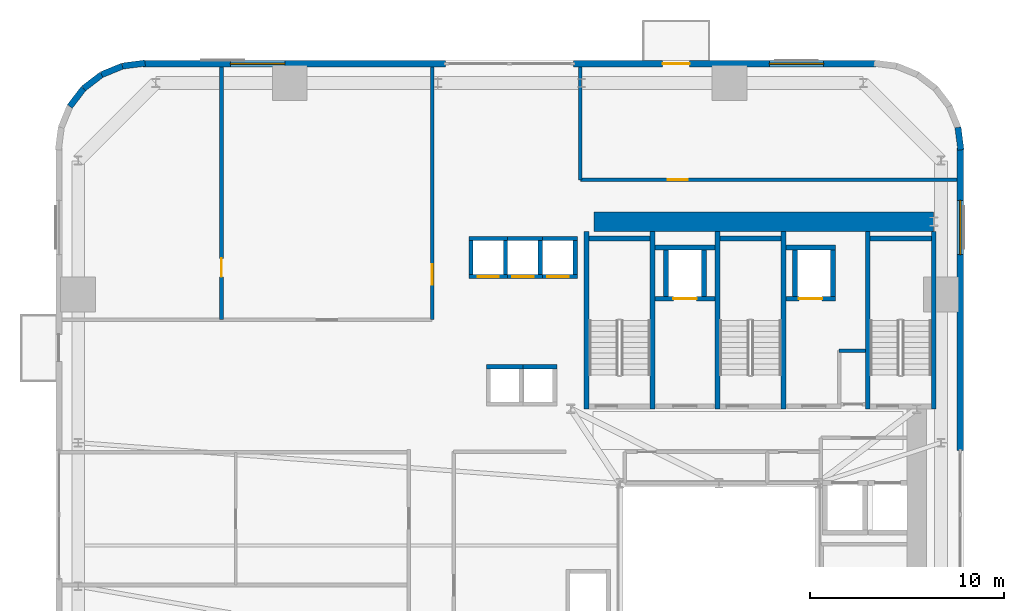
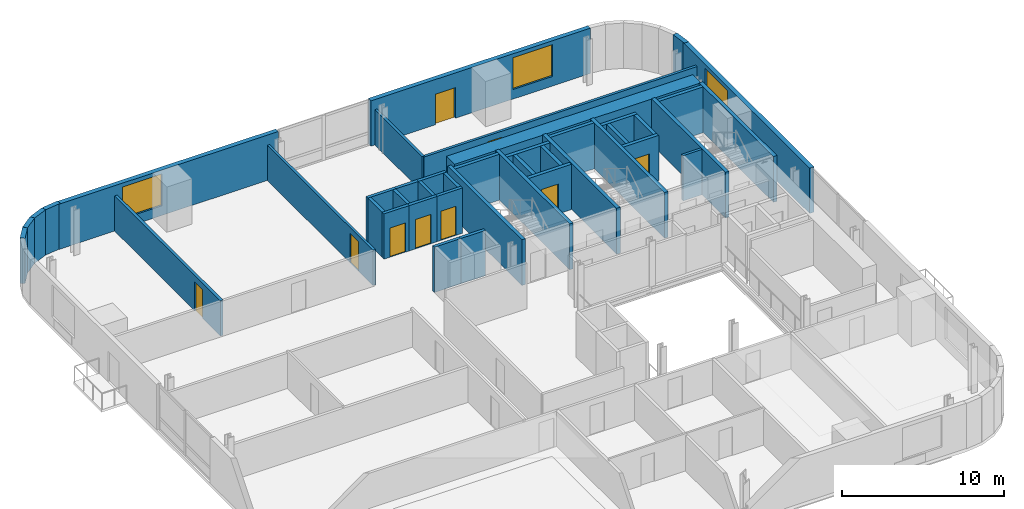
# One storey, part 8 of 13: 43 walls, 9 doors, 3 windows, 12 openings.
"""IFC4 building model written with IfcOpenShell, lengths in metres."""

from ifc_helpers import new_model, si_unit, direction, frame, frame_2d, origin, place, context, subcontext, project, spatial, rectangle, extrude, source, transform, mapped, material, layer, layer_set, type_object, element, fill, save


model = new_model("IFC4")

# Units and contexts
model_context = context("Model", 3, precision=1e-05, world=origin(), true_north=direction((0.0, 1.0)))
body_context = subcontext(model_context, "Body", "Model", "MODEL_VIEW")
ifc_project = project(units=[si_unit("LENGTHUNIT", "METRE"), si_unit("AREAUNIT", "SQUARE_METRE"), si_unit("VOLUMEUNIT", "CUBIC_METRE"), si_unit("PLANEANGLEUNIT", "RADIAN"), si_unit("MASSUNIT", "GRAM", prefix="KILO")], contexts=[model_context])

# Site, building, storey
site_placement = place(None, origin())
site = spatial("IfcSite", under=ifc_project, at=site_placement, CompositionType="ELEMENT")
building_placement = place(site_placement, origin())
building = spatial("IfcBuilding", under=site, at=building_placement, Name="Vardaveli Station Tower", CompositionType="ELEMENT")
storey_placement = place(building_placement, frame((0.0, 0.0, 71.39990234375)))
storey = spatial("IfcBuildingStorey", under=building, at=storey_placement, Name="L18", CompositionType="ELEMENT", Elevation=71.39990234375)

# Wall
ifc_material_1 = material(Name="Concrete C60/75", Category="concrete")
ifc_layer_1 = layer(ifc_material_1, 1.0, Name="Concrete C60/75")
ifc_layer_set_1 = layer_set([ifc_layer_1], Name="Concrete C60/75")
wall_type_1 = type_object("IfcWallType", Name="WAL-CORE-1000", PredefinedType="SHEAR", material=ifc_layer_set_1)
shared_shape_1 = source(origin(), body_context, "Body", "SweptSolid", [
    extrude(rectangle(XDim=17.52001953125, YDim=1.0, at=frame_2d((8.760009765625, 0.0))), origin(), (0.0, 0.0, 1.0), 3.41015625),
])
wall_1_placement = place(storey_placement, frame((29.85009765625, 40.300048828125, 0.0), z_axis=(0.0, 0.0, 1.0), x_axis=(1.0, 0.0, 0.0)))
element("IfcWall", 1, at=wall_1_placement, inside=storey, type_object=wall_type_1, Name="SW-L18-NORTH", PredefinedType="SHEAR", context=body_context, shape_type="MappedRepresentation", body=[
    mapped(shared_shape_1, transform((0.0, 0.0, 0.0), scale=1.0)),
])

# Wall, openings, door, window
ifc_material_2 = material(Name="Precast concrete C45/55", Category="concrete")
ifc_layer_2 = layer(ifc_material_2, 0.320068359375, Name="Precast concrete C45/55")
ifc_layer_set_2 = layer_set([ifc_layer_2], Name="Precast concrete C45/55")
wall_type_2 = type_object("IfcWallType", Name="WAL-EXT-STONE-320", PredefinedType="SOLIDWALL", material=ifc_layer_set_2)
shared_shape_2 = source(origin(), body_context, "Body", "SweptSolid", [
    extrude(rectangle(XDim=15.599853515625, YDim=0.320068359375, at=frame_2d((7.7998046875, 0.0))), origin(), (0.0, 0.0, 1.0), 3.41015625),
])
wall_2_placement = place(storey_placement, frame((44.39990234375, 48.43994140625, 0.0), z_axis=(0.0, 0.0, 1.0), x_axis=(-1.0, 0.0, 0.0)))
wall_2 = element("IfcWall", 2, at=wall_2_placement, inside=storey, type_object=wall_type_2, Name="EW-L18-N1", PredefinedType="SOLIDWALL", context=body_context, shape_type="MappedRepresentation", body=[
    mapped(shared_shape_2, transform((0.0, 0.0, 0.0), scale=1.0)),
])
shared_shape_3 = source(origin(), body_context, "Body", "SweptSolid", [
    extrude(rectangle(XDim=1.39990234375, YDim=2.300048828125, at=frame_2d((0.699951171875, 1.14990234375))), frame((0.0, 0.169921875, 0.0), z_axis=(0.0, -1.0, 0.0), x_axis=(1.0, 0.0, 0.0)), (0.0, 0.0, 1.0), 0.340087890625),
])
opening_1_placement = place(wall_2_placement, frame((9.6103515625, 0.0, 0.0)))
opening_1 = element("IfcOpeningElement", 3, at=opening_1_placement, cuts=wall_2, Name="Opening D-09", PredefinedType="OPENING", context=body_context, shape_type="MappedRepresentation", body=[
    mapped(shared_shape_3, transform((0.0, 0.0, 0.0), scale=1.0)),
])
shared_shape_4 = source(origin(), body_context, "Body", "SweptSolid", [
    extrude(rectangle(XDim=2.800048828125, YDim=2.39990234375, at=frame_2d((1.39990234375, 1.199951171875))), frame((0.0, 0.169921875, 0.0), z_axis=(0.0, -1.0, 0.0), x_axis=(1.0, 0.0, 0.0)), (0.0, 0.0, 1.0), 0.340087890625),
])
opening_2_placement = place(wall_2_placement, frame((2.705078125, 0.0, 0.719970703125)))
opening_2 = element("IfcOpeningElement", 4, at=opening_2_placement, cuts=wall_2, Name="Opening W-04", PredefinedType="OPENING", context=body_context, shape_type="MappedRepresentation", body=[
    mapped(shared_shape_4, transform((0.0, 0.0, 0.0), scale=1.0)),
])
ifc_material_3 = material(Name="Thermally broken aluminium glass", Category="aluminium")
door_type_1 = type_object("IfcDoorType", Name="DR-LOG-1400x2300", OperationType="DOUBLE_DOOR_SLIDING", PredefinedType="DOOR", material=ifc_material_3)
shared_shape_5 = source(origin(), body_context, "Body", "SweptSolid", [
    extrude(rectangle(XDim=1.39990234375, YDim=2.300048828125, at=frame_2d((0.699951171875, 1.14990234375))), frame((0.0, 0.02490234375, 0.0), z_axis=(0.0, -1.0, 0.0), x_axis=(1.0, 0.0, 0.0)), (0.0, 0.0, 1.0), 0.050048828125),
])
door_1_placement = place(opening_1_placement, frame((1.39990234375, 0.0, 0.0), z_axis=(0.0, 0.0, 1.0), x_axis=(-1.0, 0.0, 0.0)))
door_1 = element("IfcDoor", 5, at=door_1_placement, inside=storey, type_object=door_type_1, Name="DLG-L18-N", OperationType="DOUBLE_DOOR_SLIDING", OverallHeight=2.300048828125, OverallWidth=1.39990234375, PredefinedType="DOOR", context=body_context, shape_type="MappedRepresentation", body=[
    mapped(shared_shape_5, transform((0.0, 0.0, 0.0), scale=1.0)),
])
fill(opening_1, door_1)
ifc_material_4 = material(Name="Low-E solar-control glass", Category="glass")
window_type = type_object("IfcWindowType", Name="WIN-SUITE-2800x2400", PartitioningType="SINGLE_PANEL", PredefinedType="WINDOW", material=ifc_material_4)
shared_shape_6 = source(origin(), body_context, "Body", "SweptSolid", [
    extrude(rectangle(XDim=2.800048828125, YDim=2.39990234375, at=frame_2d((1.39990234375, 1.199951171875))), frame((0.0, 0.030029296875, 0.0), z_axis=(0.0, -1.0, 0.0), x_axis=(1.0, 0.0, 0.0)), (0.0, 0.0, 1.0), 0.06005859375),
])
window_1_placement = place(opening_2_placement, origin())
window_1 = element("IfcWindow", 6, at=window_1_placement, inside=storey, type_object=window_type, Name="WN-L18-N1", OverallHeight=2.39990234375, OverallWidth=2.800048828125, PartitioningType="SINGLE_PANEL", PredefinedType="WINDOW", context=body_context, shape_type="MappedRepresentation", body=[
    mapped(shared_shape_6, transform((0.0, 0.0, 0.0), scale=1.0)),
])
fill(opening_2, window_1)

# Wall, opening, window
wall_3_placement = place(storey_placement, frame((22.199951171875, 48.43994140625, 0.0), z_axis=(0.0, 0.0, 1.0), x_axis=(-1.0, 0.0, 0.0)))
wall_3 = element("IfcWall", 7, at=wall_3_placement, inside=storey, type_object=wall_type_2, Name="EW-L18-N2", PredefinedType="SOLIDWALL", context=body_context, shape_type="MappedRepresentation", body=[
    mapped(shared_shape_2, transform((0.0, 0.0, 0.0), scale=1.0)),
])
opening_3_placement = place(wall_3_placement, frame((8.294921875, 0.0, 0.719970703125)))
opening_3 = element("IfcOpeningElement", 8, at=opening_3_placement, cuts=wall_3, Name="Opening W-04", PredefinedType="OPENING", context=body_context, shape_type="MappedRepresentation", body=[
    mapped(shared_shape_4, transform((0.0, 0.0, 0.0), scale=1.0)),
])
window_2_placement = place(opening_3_placement, origin())
window_2 = element("IfcWindow", 9, at=window_2_placement, inside=storey, type_object=window_type, Name="WN-L18-N2", OverallHeight=2.39990234375, OverallWidth=2.800048828125, PartitioningType="SINGLE_PANEL", PredefinedType="WINDOW", context=body_context, shape_type="MappedRepresentation", body=[
    mapped(shared_shape_6, transform((0.0, 0.0, 0.0), scale=1.0)),
])
fill(opening_3, window_2)

shared_shape_7 = source(origin(), body_context, "Body", "SweptSolid", [
    extrude(rectangle(XDim=15.60009765625, YDim=0.320068359375, at=frame_2d((7.800048828125, 0.0))), origin(), (0.0, 0.0, 1.0), 3.41015625),
])
wall_4_placement = place(storey_placement, frame((48.739990234375, 28.5, 0.0), z_axis=(0.0, 0.0, 1.0), x_axis=(0.0, 1.0, 0.0)))
wall_4 = element("IfcWall", 10, at=wall_4_placement, inside=storey, type_object=wall_type_2, Name="EW-L18-E2", PredefinedType="SOLIDWALL", context=body_context, shape_type="MappedRepresentation", body=[
    mapped(shared_shape_7, transform((0.0, 0.0, 0.0), scale=1.0)),
])
opening_4_placement = place(wall_4_placement, frame((10.094970703125, 0.0, 0.719970703125)))
opening_4 = element("IfcOpeningElement", 11, at=opening_4_placement, cuts=wall_4, Name="Opening W-04", PredefinedType="OPENING", context=body_context, shape_type="MappedRepresentation", body=[
    mapped(shared_shape_4, transform((0.0, 0.0, 0.0), scale=1.0)),
])
window_3_placement = place(opening_4_placement, origin())
window_3 = element("IfcWindow", 12, at=window_3_placement, inside=storey, type_object=window_type, Name="WN-L18-E2", OverallHeight=2.39990234375, OverallWidth=2.800048828125, PartitioningType="SINGLE_PANEL", PredefinedType="WINDOW", context=body_context, shape_type="MappedRepresentation", body=[
    mapped(shared_shape_6, transform((0.0, 0.0, 0.0), scale=1.0)),
])
fill(opening_4, window_3)

# Walls
shared_shape_8 = source(origin(), body_context, "Body", "SweptSolid", [
    extrude(rectangle(XDim=1.1689453125, YDim=0.320068359375, at=frame_2d((0.58447265625, 0.0))), origin(), (0.0, 0.0, 1.0), 3.41015625),
])
wall_5_placement = place(storey_placement, frame((3.53125, 47.1689453125, 0.0), z_axis=(0.0, 0.0, 1.0), x_axis=(-0.608387696831, -0.793639975269, 0.0)))
element("IfcWall", 13, at=wall_5_placement, inside=storey, type_object=wall_type_2, Name="EW-L18-CR4-4", PredefinedType="SOLIDWALL", context=body_context, shape_type="MappedRepresentation", body=[
    mapped(shared_shape_8, transform((0.0, 0.0, 0.0), scale=1.0)),
])
shared_shape_9 = source(origin(), body_context, "Body", "SweptSolid", [
    extrude(rectangle(XDim=1.168701171875, YDim=0.320068359375, at=frame_2d((0.58447265625, 0.0))), origin(), (0.0, 0.0, 1.0), 3.41015625),
])
wall_6_placement = place(storey_placement, frame((4.458740234375, 47.8798828125, 0.0), z_axis=(0.0, 0.0, 1.0), x_axis=(-0.793663520347, -0.608356981114, 0.0)))
element("IfcWall", 14, at=wall_6_placement, inside=storey, type_object=wall_type_2, Name="EW-L18-CR4-3", PredefinedType="SOLIDWALL", context=body_context, shape_type="MappedRepresentation", body=[
    mapped(shared_shape_9, transform((0.0, 0.0, 0.0), scale=1.0)),
])
shared_shape_10 = source(origin(), body_context, "Body", "SweptSolid", [
    extrude(rectangle(XDim=1.17041015625, YDim=0.320068359375, at=frame_2d((0.585205078125, 0.0))), origin(), (0.0, 0.0, 1.0), 3.41015625),
])
for number, where, z_axis, x_axis, name in (
    (15, (48.775634765625, 43.99951171875, 0.0), (0.0, 0.0, 1.0), (-0.128295670475, 0.991735963317, 0.0), "EW-L18-CR3-1"),
    (16, (6.700439453125, 48.4755859375, 0.0), (0.0, 0.0, 1.0), (-0.991735963317, -0.128295670475, 0.0), "EW-L18-CR4-1"),
):
    element("IfcWall", number, at=place(storey_placement, frame(where, z_axis=z_axis, x_axis=x_axis)), inside=storey, type_object=wall_type_2, Name=name, PredefinedType="SOLIDWALL", context=body_context, shape_type="MappedRepresentation", body=[
        mapped(shared_shape_10, transform((0.0, 0.0, 0.0), scale=1.0)),
    ])
shared_shape_11 = source(origin(), body_context, "Body", "SweptSolid", [
    extrude(rectangle(XDim=1.169189453125, YDim=0.320068359375, at=frame_2d((0.58447265625, 0.0))), origin(), (0.0, 0.0, 1.0), 3.41015625),
])
wall_7_placement = place(storey_placement, frame((5.539794921875, 48.325439453125, 0.0), z_axis=(0.0, 0.0, 1.0), x_axis=(-0.924552646638, -0.381054331552, 0.0)))
element("IfcWall", 17, at=wall_7_placement, inside=storey, type_object=wall_type_2, Name="EW-L18-CR4-2", PredefinedType="SOLIDWALL", context=body_context, shape_type="MappedRepresentation", body=[
    mapped(shared_shape_11, transform((0.0, 0.0, 0.0), scale=1.0)),
])
ifc_material_5 = material(Name="Concrete C40/50", Category="concrete")
ifc_layer_3 = layer(ifc_material_5, 0.25, Name="Concrete C40/50")
ifc_layer_set_3 = layer_set([ifc_layer_3], Name="Concrete C40/50")
wall_type_3 = type_object("IfcWallType", Name="WAL-SHAFT-250", PredefinedType="SOLIDWALL", material=ifc_layer_set_3)
shared_shape_12 = source(origin(), body_context, "Body", "SweptSolid", [
    extrude(rectangle(XDim=9.150146484375, YDim=0.25, at=frame_2d((4.5751953125, 0.0))), origin(), (0.0, 0.0, 1.0), 3.4501953125),
])
for number, where, z_axis, x_axis, name in (
    (18, (29.47509765625, 30.64990234375, 0.0), (0.0, 0.0, 1.0), (0.0, 1.0, 0.0), "W-L18-ST-1W"),
    (19, (32.875, 30.64990234375, 0.0), (0.0, 0.0, 1.0), (0.0, 1.0, 0.0), "W-L18-ST-1E"),
    (20, (36.22509765625, 30.64990234375, 0.0), (0.0, 0.0, 1.0), (0.0, 1.0, 0.0), "W-L18-ST-2W"),
    (21, (39.625, 30.64990234375, 0.0), (0.0, 0.0, 1.0), (0.0, 1.0, 0.0), "W-L18-ST-2E"),
    (22, (43.97509765625, 30.64990234375, 0.0), (0.0, 0.0, 1.0), (0.0, 1.0, 0.0), "W-L18-ST-3W"),
    (23, (47.375, 30.64990234375, 0.0), (0.0, 0.0, 1.0), (0.0, 1.0, 0.0), "W-L18-ST-3E"),
):
    element("IfcWall", number, at=place(storey_placement, frame(where, z_axis=z_axis, x_axis=x_axis)), inside=storey, type_object=wall_type_3, Name=name, PredefinedType="SOLIDWALL", context=body_context, shape_type="MappedRepresentation", body=[
        mapped(shared_shape_12, transform((0.0, 0.0, 0.0), scale=1.0)),
    ])
shared_shape_13 = source(origin(), body_context, "Body", "SweptSolid", [
    extrude(rectangle(XDim=3.14990234375, YDim=0.25, at=frame_2d((1.574951171875, 0.0))), origin(), (0.0, 0.0, 1.0), 3.4501953125),
])
for number, where, z_axis, x_axis, name in (
    (24, (29.60009765625, 39.425048828125, 0.0), (0.0, 0.0, 1.0), (1.0, 0.0, 0.0), "W-L18-ST-1N"),
    (25, (36.35009765625, 39.425048828125, 0.0), (0.0, 0.0, 1.0), (1.0, 0.0, 0.0), "W-L18-ST-2N"),
    (26, (44.10009765625, 39.425048828125, 0.0), (0.0, 0.0, 1.0), (1.0, 0.0, 0.0), "W-L18-ST-3N"),
):
    element("IfcWall", number, at=place(storey_placement, frame(where, z_axis=z_axis, x_axis=x_axis)), inside=storey, type_object=wall_type_3, Name=name, PredefinedType="SOLIDWALL", context=body_context, shape_type="MappedRepresentation", body=[
        mapped(shared_shape_13, transform((0.0, 0.0, 0.0), scale=1.0)),
    ])

# Wall, opening, door
ifc_layer_4 = layer(ifc_material_5, 0.219970703125, Name="Concrete C40/50")
ifc_layer_set_4 = layer_set([ifc_layer_4], Name="Concrete C40/50")
wall_type_4 = type_object("IfcWallType", Name="WAL-FFLOBBY-220", PredefinedType="SOLIDWALL", material=ifc_layer_set_4)
shared_shape_14 = source(origin(), body_context, "Body", "SweptSolid", [
    extrude(rectangle(XDim=1.989990234375, YDim=0.219970703125, at=frame_2d((0.9951171875, 0.0))), origin(), (0.0, 0.0, 1.0), 3.41015625),
])
wall_8_placement = place(storey_placement, frame((23.405029296875, 37.465087890625, 0.0), z_axis=(0.0, 0.0, 1.0), x_axis=(1.0, 0.0, 0.0)))
wall_8 = element("IfcWall", 27, at=wall_8_placement, inside=storey, type_object=wall_type_4, Name="SHW-HL1-01-L18-S", PredefinedType="SOLIDWALL", context=body_context, shape_type="MappedRepresentation", body=[
    mapped(shared_shape_14, transform((0.0, 0.0, 0.0), scale=1.0)),
])
shared_shape_15 = source(origin(), body_context, "Body", "SweptSolid", [
    extrude(rectangle(XDim=1.10009765625, YDim=2.199951171875, at=frame_2d((0.550048828125, 1.10009765625))), frame((0.0, 0.1201171875, 0.0), z_axis=(0.0, -1.0, 0.0), x_axis=(1.0, 0.0, 0.0)), (0.0, 0.0, 1.0), 0.239990234375),
])
opening_5_placement = place(wall_8_placement, frame((0.445068359375, 0.0, 0.0)))
opening_5 = element("IfcOpeningElement", 28, at=opening_5_placement, cuts=wall_8, Name="Opening LD-01", PredefinedType="OPENING", context=body_context, shape_type="MappedRepresentation", body=[
    mapped(shared_shape_15, transform((0.0, 0.0, 0.0), scale=1.0)),
])
ifc_material_6 = material(Name="Brushed stainless steel", Category="steel")
door_type_2 = type_object("IfcDoorType", Name="DR-LD-1100x2200", OperationType="DOUBLE_DOOR_SLIDING", PredefinedType="DOOR", material=ifc_material_6)
shared_shape_16 = source(origin(), body_context, "Body", "SweptSolid", [
    extrude(rectangle(XDim=1.10009765625, YDim=2.199951171875, at=frame_2d((0.550048828125, 1.10009765625))), frame((0.0, 0.02490234375, 0.0), z_axis=(0.0, -1.0, 0.0), x_axis=(1.0, 0.0, 0.0)), (0.0, 0.0, 1.0), 0.050048828125),
])
door_2_placement = place(opening_5_placement, origin())
door_2 = element("IfcDoor", 29, at=door_2_placement, inside=storey, type_object=door_type_2, Name="LD-HL1-01-L18", OperationType="DOUBLE_DOOR_SLIDING", OverallHeight=2.199951171875, OverallWidth=1.10009765625, PredefinedType="DOOR", context=body_context, shape_type="MappedRepresentation", body=[
    mapped(shared_shape_16, transform((0.0, 0.0, 0.0), scale=1.0)),
])
fill(opening_5, door_2)

# Wall
wall_9_placement = place(storey_placement, frame((23.405029296875, 39.43505859375, 0.0), z_axis=(0.0, 0.0, 1.0), x_axis=(1.0, 0.0, 0.0)))
element("IfcWall", 30, at=wall_9_placement, inside=storey, type_object=wall_type_4, Name="SHW-HL1-01-L18-N", PredefinedType="SOLIDWALL", context=body_context, shape_type="MappedRepresentation", body=[
    mapped(shared_shape_14, transform((0.0, 0.0, 0.0), scale=1.0)),
])

# Wall, opening, door
wall_10_placement = place(storey_placement, frame((25.205078125, 37.465087890625, 0.0), z_axis=(0.0, 0.0, 1.0), x_axis=(1.0, 0.0, 0.0)))
wall_10 = element("IfcWall", 31, at=wall_10_placement, inside=storey, type_object=wall_type_4, Name="SHW-HL1-02-L18-S", PredefinedType="SOLIDWALL", context=body_context, shape_type="MappedRepresentation", body=[
    mapped(shared_shape_14, transform((0.0, 0.0, 0.0), scale=1.0)),
])
opening_6_placement = place(wall_10_placement, frame((0.445068359375, 0.0, 0.0)))
opening_6 = element("IfcOpeningElement", 32, at=opening_6_placement, cuts=wall_10, Name="Opening LD-01", PredefinedType="OPENING", context=body_context, shape_type="MappedRepresentation", body=[
    mapped(shared_shape_15, transform((0.0, 0.0, 0.0), scale=1.0)),
])
door_3_placement = place(opening_6_placement, origin())
door_3 = element("IfcDoor", 33, at=door_3_placement, inside=storey, type_object=door_type_2, Name="LD-HL1-02-L18", OperationType="DOUBLE_DOOR_SLIDING", OverallHeight=2.199951171875, OverallWidth=1.10009765625, PredefinedType="DOOR", context=body_context, shape_type="MappedRepresentation", body=[
    mapped(shared_shape_16, transform((0.0, 0.0, 0.0), scale=1.0)),
])
fill(opening_6, door_3)

# Walls
wall_11_placement = place(storey_placement, frame((25.205078125, 39.43505859375, 0.0), z_axis=(0.0, 0.0, 1.0), x_axis=(1.0, 0.0, 0.0)))
element("IfcWall", 34, at=wall_11_placement, inside=storey, type_object=wall_type_4, Name="SHW-HL1-02-L18-N", PredefinedType="SOLIDWALL", context=body_context, shape_type="MappedRepresentation", body=[
    mapped(shared_shape_14, transform((0.0, 0.0, 0.0), scale=1.0)),
])
shared_shape_17 = source(origin(), body_context, "Body", "SweptSolid", [
    extrude(rectangle(XDim=1.75, YDim=0.219970703125, at=frame_2d((0.875, 0.0))), origin(), (0.0, 0.0, 1.0), 3.41015625),
])
for number, where, z_axis, x_axis, name in (
    (35, (23.514892578125, 37.574951171875, 0.0), (0.0, 0.0, 1.0), (0.0, 1.0, 0.0), "SHW-HL1-01-L18-W"),
    (36, (25.284912109375, 37.574951171875, 0.0), (0.0, 0.0, 1.0), (0.0, 1.0, 0.0), "SHW-HL1-01-L18-E"),
    (37, (27.0849609375, 37.574951171875, 0.0), (0.0, 0.0, 1.0), (0.0, 1.0, 0.0), "SHW-HL1-02-L18-E"),
    (38, (28.885009765625, 37.574951171875, 0.0), (0.0, 0.0, 1.0), (0.0, 1.0, 0.0), "SHW-HL1-03-L18-E"),
):
    element("IfcWall", number, at=place(storey_placement, frame(where, z_axis=z_axis, x_axis=x_axis)), inside=storey, type_object=wall_type_4, Name=name, PredefinedType="SOLIDWALL", context=body_context, shape_type="MappedRepresentation", body=[
        mapped(shared_shape_17, transform((0.0, 0.0, 0.0), scale=1.0)),
    ])

# Wall, opening, door
shared_shape_18 = source(origin(), body_context, "Body", "SweptSolid", [
    extrude(rectangle(XDim=1.990234375, YDim=0.219970703125, at=frame_2d((0.9951171875, 0.0))), origin(), (0.0, 0.0, 1.0), 3.41015625),
])
wall_12_placement = place(storey_placement, frame((27.0048828125, 37.465087890625, 0.0), z_axis=(0.0, 0.0, 1.0), x_axis=(1.0, 0.0, 0.0)))
wall_12 = element("IfcWall", 39, at=wall_12_placement, inside=storey, type_object=wall_type_4, Name="SHW-HL1-03-L18-S", PredefinedType="SOLIDWALL", context=body_context, shape_type="MappedRepresentation", body=[
    mapped(shared_shape_18, transform((0.0, 0.0, 0.0), scale=1.0)),
])
opening_7_placement = place(wall_12_placement, frame((0.445068359375, 0.0, 0.0)))
opening_7 = element("IfcOpeningElement", 40, at=opening_7_placement, cuts=wall_12, Name="Opening LD-01", PredefinedType="OPENING", context=body_context, shape_type="MappedRepresentation", body=[
    mapped(shared_shape_15, transform((0.0, 0.0, 0.0), scale=1.0)),
])
door_4_placement = place(opening_7_placement, origin())
door_4 = element("IfcDoor", 41, at=door_4_placement, inside=storey, type_object=door_type_2, Name="LD-HL1-03-L18", OperationType="DOUBLE_DOOR_SLIDING", OverallHeight=2.199951171875, OverallWidth=1.10009765625, PredefinedType="DOOR", context=body_context, shape_type="MappedRepresentation", body=[
    mapped(shared_shape_16, transform((0.0, 0.0, 0.0), scale=1.0)),
])
fill(opening_7, door_4)

# Wall
wall_13_placement = place(storey_placement, frame((27.0048828125, 39.43505859375, 0.0), z_axis=(0.0, 0.0, 1.0), x_axis=(1.0, 0.0, 0.0)))
element("IfcWall", 42, at=wall_13_placement, inside=storey, type_object=wall_type_4, Name="SHW-HL1-03-L18-N", PredefinedType="SOLIDWALL", context=body_context, shape_type="MappedRepresentation", body=[
    mapped(shared_shape_18, transform((0.0, 0.0, 0.0), scale=1.0)),
])

# Wall, opening, door
shared_shape_19 = source(origin(), body_context, "Body", "SweptSolid", [
    extrude(rectangle(XDim=3.10009765625, YDim=0.25, at=frame_2d((1.550048828125, 0.0))), origin(), (0.0, 0.0, 1.0), 3.41015625),
])
wall_14_placement = place(storey_placement, frame((33.0, 36.324951171875, 0.0), z_axis=(0.0, 0.0, 1.0), x_axis=(1.0, 0.0, 0.0)))
wall_14 = element("IfcWall", 43, at=wall_14_placement, inside=storey, type_object=wall_type_3, Name="SHW-FFL-01-L18-S", PredefinedType="SOLIDWALL", context=body_context, shape_type="MappedRepresentation", body=[
    mapped(shared_shape_19, transform((0.0, 0.0, 0.0), scale=1.0)),
])
shared_shape_20 = source(origin(), body_context, "Body", "SweptSolid", [
    extrude(rectangle(XDim=1.199951171875, YDim=2.25, at=frame_2d((0.60009765625, 1.125))), frame((0.0, 0.135009765625, 0.0), z_axis=(0.0, -1.0, 0.0), x_axis=(1.0, 0.0, 0.0)), (0.0, 0.0, 1.0), 0.27001953125),
])
opening_8_placement = place(wall_14_placement, frame((0.949951171875, 0.0, 0.0)))
opening_8 = element("IfcOpeningElement", 44, at=opening_8_placement, cuts=wall_14, Name="Opening LD-02", PredefinedType="OPENING", context=body_context, shape_type="MappedRepresentation", body=[
    mapped(shared_shape_20, transform((0.0, 0.0, 0.0), scale=1.0)),
])
door_type_3 = type_object("IfcDoorType", Name="DR-LD-1200x2250", OperationType="DOUBLE_DOOR_SLIDING", PredefinedType="DOOR", material=ifc_material_6)
shared_shape_21 = source(origin(), body_context, "Body", "SweptSolid", [
    extrude(rectangle(XDim=1.199951171875, YDim=2.25, at=frame_2d((0.60009765625, 1.125))), frame((0.0, 0.02490234375, 0.0), z_axis=(0.0, -1.0, 0.0), x_axis=(1.0, 0.0, 0.0)), (0.0, 0.0, 1.0), 0.050048828125),
])
door_5_placement = place(opening_8_placement, origin())
door_5 = element("IfcDoor", 45, at=door_5_placement, inside=storey, type_object=door_type_3, Name="LD-FFL-01-L18", OperationType="DOUBLE_DOOR_SLIDING", OverallHeight=2.25, OverallWidth=1.199951171875, PredefinedType="DOOR", context=body_context, shape_type="MappedRepresentation", body=[
    mapped(shared_shape_21, transform((0.0, 0.0, 0.0), scale=1.0)),
])
fill(opening_8, door_5)

# Walls
wall_15_placement = place(storey_placement, frame((33.0, 38.97509765625, 0.0), z_axis=(0.0, 0.0, 1.0), x_axis=(1.0, 0.0, 0.0)))
element("IfcWall", 46, at=wall_15_placement, inside=storey, type_object=wall_type_3, Name="SHW-FFL-01-L18-N", PredefinedType="SOLIDWALL", context=body_context, shape_type="MappedRepresentation", body=[
    mapped(shared_shape_19, transform((0.0, 0.0, 0.0), scale=1.0)),
])
shared_shape_22 = source(origin(), body_context, "Body", "SweptSolid", [
    extrude(rectangle(XDim=2.400146484375, YDim=0.25, at=frame_2d((1.2001953125, 0.0))), origin(), (0.0, 0.0, 1.0), 3.41015625),
])
for number, where, z_axis, x_axis, name in (
    (47, (33.574951171875, 36.449951171875, 0.0), (0.0, 0.0, 1.0), (0.0, 1.0, 0.0), "SHW-FFL-01-L18-W"),
    (48, (35.52490234375, 36.449951171875, 0.0), (0.0, 0.0, 1.0), (0.0, 1.0, 0.0), "SHW-FFL-01-L18-E"),
    (49, (40.22509765625, 36.449951171875, 0.0), (0.0, 0.0, 1.0), (0.0, 1.0, 0.0), "SHW-FFL-02-L18-W"),
    (50, (42.175048828125, 36.449951171875, 0.0), (0.0, 0.0, 1.0), (0.0, 1.0, 0.0), "SHW-FFL-02-L18-E"),
):
    element("IfcWall", number, at=place(storey_placement, frame(where, z_axis=z_axis, x_axis=x_axis)), inside=storey, type_object=wall_type_3, Name=name, PredefinedType="SOLIDWALL", context=body_context, shape_type="MappedRepresentation", body=[
        mapped(shared_shape_22, transform((0.0, 0.0, 0.0), scale=1.0)),
    ])

# Wall, opening, door
shared_shape_23 = source(origin(), body_context, "Body", "SweptSolid", [
    extrude(rectangle(XDim=2.550048828125, YDim=0.25, at=frame_2d((1.27490234375, 0.0))), origin(), (0.0, 0.0, 1.0), 3.41015625),
])
wall_16_placement = place(storey_placement, frame((39.75, 36.324951171875, 0.0), z_axis=(0.0, 0.0, 1.0), x_axis=(1.0, 0.0, 0.0)))
wall_16 = element("IfcWall", 51, at=wall_16_placement, inside=storey, type_object=wall_type_3, Name="SHW-FFL-02-L18-S", PredefinedType="SOLIDWALL", context=body_context, shape_type="MappedRepresentation", body=[
    mapped(shared_shape_23, transform((0.0, 0.0, 0.0), scale=1.0)),
])
opening_9_placement = place(wall_16_placement, frame((0.675048828125, 0.0, 0.0)))
opening_9 = element("IfcOpeningElement", 52, at=opening_9_placement, cuts=wall_16, Name="Opening LD-02", PredefinedType="OPENING", context=body_context, shape_type="MappedRepresentation", body=[
    mapped(shared_shape_20, transform((0.0, 0.0, 0.0), scale=1.0)),
])
door_6_placement = place(opening_9_placement, origin())
door_6 = element("IfcDoor", 53, at=door_6_placement, inside=storey, type_object=door_type_3, Name="LD-FFL-02-L18", OperationType="DOUBLE_DOOR_SLIDING", OverallHeight=2.25, OverallWidth=1.199951171875, PredefinedType="DOOR", context=body_context, shape_type="MappedRepresentation", body=[
    mapped(shared_shape_21, transform((0.0, 0.0, 0.0), scale=1.0)),
])
fill(opening_9, door_6)

# Walls
wall_17_placement = place(storey_placement, frame((39.75, 38.97509765625, 0.0), z_axis=(0.0, 0.0, 1.0), x_axis=(1.0, 0.0, 0.0)))
element("IfcWall", 54, at=wall_17_placement, inside=storey, type_object=wall_type_3, Name="SHW-FFL-02-L18-N", PredefinedType="SOLIDWALL", context=body_context, shape_type="MappedRepresentation", body=[
    mapped(shared_shape_23, transform((0.0, 0.0, 0.0), scale=1.0)),
])
shared_shape_24 = source(origin(), body_context, "Body", "SweptSolid", [
    extrude(rectangle(XDim=1.89013671875, YDim=0.219970703125, at=frame_2d((0.945068359375, 0.0))), origin(), (0.0, 0.0, 1.0), 3.41015625),
])
for number, where, z_axis, x_axis, name in (
    (55, (24.304931640625, 32.81005859375, 0.0), (0.0, 0.0, 1.0), (1.0, 0.0, 0.0), "SHW-SHU-01-L18-N"),
    (56, (26.054931640625, 32.81005859375, 0.0), (0.0, 0.0, 1.0), (1.0, 0.0, 0.0), "SHW-SHU-02-L18-N"),
):
    element("IfcWall", number, at=place(storey_placement, frame(where, z_axis=z_axis, x_axis=x_axis)), inside=storey, type_object=wall_type_4, Name=name, PredefinedType="SOLIDWALL", context=body_context, shape_type="MappedRepresentation", body=[
        mapped(shared_shape_24, transform((0.0, 0.0, 0.0), scale=1.0)),
    ])

# Wall, opening, door
ifc_material_7 = material(Name="Fire-rated gypsum stud partition")
ifc_layer_5 = layer(ifc_material_7, 0.179931640625, Name="Fire-rated gypsum stud partition")
ifc_layer_set_5 = layer_set([ifc_layer_5], Name="Fire-rated gypsum stud partition")
wall_type_5 = type_object("IfcWallType", Name="WAL-CORR-180", PredefinedType="PARTITIONING", material=ifc_layer_set_5)
shared_shape_25 = source(origin(), body_context, "Body", "SweptSolid", [
    extrude(rectangle(XDim=19.427978515625, YDim=0.179931640625, at=frame_2d((9.7138671875, 0.0))), origin(), (0.0, 0.0, 1.0), 2.652099609375),
])
wall_18_placement = place(storey_placement, frame((29.14990234375, 42.449951171875, 0.0), z_axis=(0.0, 0.0, 1.0), x_axis=(1.0, 0.0, 0.0)))
wall_18 = element("IfcWall", 57, at=wall_18_placement, inside=storey, type_object=wall_type_5, Name="W-L18-NPS", PredefinedType="PARTITIONING", context=body_context, shape_type="MappedRepresentation", body=[
    mapped(shared_shape_25, transform((0.0, 0.0, 0.0), scale=1.0)),
])
shared_shape_26 = source(origin(), body_context, "Body", "SweptSolid", [
    extrude(rectangle(XDim=1.050048828125, YDim=2.199951171875, at=frame_2d((0.52490234375, 1.10009765625))), frame((0.0, 0.10009765625, 0.0), z_axis=(0.0, -1.0, 0.0), x_axis=(1.0, 0.0, 0.0)), (0.0, 0.0, 1.0), 0.199951171875),
])
opening_10_placement = place(wall_18_placement, frame((4.5, 0.0, 0.0)))
opening_10 = element("IfcOpeningElement", 58, at=opening_10_placement, cuts=wall_18, Name="Opening D-05", PredefinedType="OPENING", context=body_context, shape_type="MappedRepresentation", body=[
    mapped(shared_shape_26, transform((0.0, 0.0, 0.0), scale=1.0)),
])
ifc_material_8 = material(Name="Walnut veneer acoustic fire door")
door_type_4 = type_object("IfcDoorType", Name="DR-SUITE-1050x2200", OperationType="NOTDEFINED", PredefinedType="DOOR", material=ifc_material_8)
shared_shape_27 = source(origin(), body_context, "Body", "SweptSolid", [
    extrude(rectangle(XDim=1.050048828125, YDim=2.199951171875, at=frame_2d((0.52490234375, 1.10009765625))), frame((0.0, 0.02490234375, 0.0), z_axis=(0.0, -1.0, 0.0), x_axis=(1.0, 0.0, 0.0)), (0.0, 0.0, 1.0), 0.050048828125),
])
door_7_placement = place(opening_10_placement, origin())
door_7 = element("IfcDoor", 59, at=door_7_placement, inside=storey, type_object=door_type_4, Name="D-L18-NP1", OperationType="SINGLE_SWING_LEFT", OverallHeight=2.199951171875, OverallWidth=1.050048828125, PredefinedType="DOOR", context=body_context, shape_type="MappedRepresentation", body=[
    mapped(shared_shape_27, transform((0.0, 0.0, 0.0), scale=1.0)),
])
fill(opening_10, door_7)

shared_shape_28 = source(origin(), body_context, "Body", "SweptSolid", [
    extrude(rectangle(XDim=13.028076171875, YDim=0.179931640625, at=frame_2d((6.51416015625, 0.0))), origin(), (0.0, 0.0, 1.0), 2.652099609375),
])
wall_19_placement = place(storey_placement, frame((21.5, 35.25, 0.0), z_axis=(0.0, 0.0, 1.0), x_axis=(0.0, 1.0, 0.0)))
wall_19 = element("IfcWall", 60, at=wall_19_placement, inside=storey, type_object=wall_type_5, Name="W-L18-CNWE", PredefinedType="PARTITIONING", context=body_context, shape_type="MappedRepresentation", body=[
    mapped(shared_shape_28, transform((0.0, 0.0, 0.0), scale=1.0)),
])
opening_11_placement = place(wall_19_placement, frame((1.800048828125, 0.0, 0.0)))
opening_11 = element("IfcOpeningElement", 61, at=opening_11_placement, cuts=wall_19, Name="Opening D-05", PredefinedType="OPENING", context=body_context, shape_type="MappedRepresentation", body=[
    mapped(shared_shape_26, transform((0.0, 0.0, 0.0), scale=1.0)),
])
door_8_placement = place(opening_11_placement, origin())
door_8 = element("IfcDoor", 62, at=door_8_placement, inside=storey, type_object=door_type_4, Name="D-L18-GNWE", OperationType="SINGLE_SWING_RIGHT", OverallHeight=2.199951171875, OverallWidth=1.050048828125, PredefinedType="DOOR", context=body_context, shape_type="MappedRepresentation", body=[
    mapped(shared_shape_27, transform((0.0, 0.0, 0.0), scale=1.0)),
])
fill(opening_11, door_8)

# Walls
shared_shape_29 = source(origin(), body_context, "Body", "SweptSolid", [
    extrude(rectangle(XDim=5.828125, YDim=0.179931640625, at=frame_2d((2.9140625, 0.0))), origin(), (0.0, 0.0, 1.0), 2.652099609375),
])
wall_20_placement = place(storey_placement, frame((29.14990234375, 42.449951171875, 0.0), z_axis=(0.0, 0.0, 1.0), x_axis=(0.0, 1.0, 0.0)))
element("IfcWall", 63, at=wall_20_placement, inside=storey, type_object=wall_type_5, Name="W-L18-NPW", PredefinedType="PARTITIONING", context=body_context, shape_type="MappedRepresentation", body=[
    mapped(shared_shape_29, transform((0.0, 0.0, 0.0), scale=1.0)),
])
shared_shape_30 = source(origin(), body_context, "Body", "SweptSolid", [
    extrude(rectangle(XDim=1.347900390625, YDim=0.179931640625, at=frame_2d((0.673828125, 0.0))), origin(), (0.0, 0.0, 1.0), 3.41015625),
])
wall_21_placement = place(storey_placement, frame((42.5, 33.64990234375, 0.0), z_axis=(0.0, 0.0, 1.0), x_axis=(1.0, 0.0, 0.0)))
element("IfcWall", 64, at=wall_21_placement, inside=storey, type_object=wall_type_5, Name="W-L18-CBS0-N", PredefinedType="PARTITIONING", context=body_context, shape_type="MappedRepresentation", body=[
    mapped(shared_shape_30, transform((0.0, 0.0, 0.0), scale=1.0)),
])

# Wall, opening, door
ifc_material_9 = material(Name="Acoustic twin-stud gypsum partition")
ifc_layer_6 = layer(ifc_material_9, 0.199951171875, Name="Acoustic twin-stud gypsum partition")
ifc_layer_set_6 = layer_set([ifc_layer_6], Name="Acoustic twin-stud gypsum partition")
wall_type_6 = type_object("IfcWallType", Name="WAL-PARTY-200", PredefinedType="PARTITIONING", material=ifc_layer_set_6)
shared_shape_31 = source(origin(), body_context, "Body", "SweptSolid", [
    extrude(rectangle(XDim=13.028076171875, YDim=0.199951171875, at=frame_2d((6.51416015625, 0.0))), origin(), (0.0, 0.0, 1.0), 2.652099609375),
])
wall_22_placement = place(storey_placement, frame((10.64208984375, 35.25, 0.0), z_axis=(0.0, 0.0, 1.0), x_axis=(0.0, 1.0, 0.0)))
wall_22 = element("IfcWall", 65, at=wall_22_placement, inside=storey, type_object=wall_type_6, Name="W-L18-PNW1", PredefinedType="PARTITIONING", context=body_context, shape_type="MappedRepresentation", body=[
    mapped(shared_shape_31, transform((0.0, 0.0, 0.0), scale=1.0)),
])
shared_shape_32 = source(origin(), body_context, "Body", "SweptSolid", [
    extrude(rectangle(XDim=0.949951171875, YDim=2.14990234375, at=frame_2d((0.47509765625, 1.074951171875))), frame((0.0, 0.10986328125, 0.0), z_axis=(0.0, -1.0, 0.0), x_axis=(1.0, 0.0, 0.0)), (0.0, 0.0, 1.0), 0.219970703125),
])
opening_12_placement = place(wall_22_placement, frame((2.199951171875, 0.0, 0.0)))
opening_12 = element("IfcOpeningElement", 66, at=opening_12_placement, cuts=wall_22, Name="Opening D-11", PredefinedType="OPENING", context=body_context, shape_type="MappedRepresentation", body=[
    mapped(shared_shape_32, transform((0.0, 0.0, 0.0), scale=1.0)),
])
ifc_material_10 = material(Name="Oak veneer internal suite door")
door_type_5 = type_object("IfcDoorType", Name="DR-INT-950x2150", OperationType="NOTDEFINED", PredefinedType="DOOR", material=ifc_material_10)
shared_shape_33 = source(origin(), body_context, "Body", "SweptSolid", [
    extrude(rectangle(XDim=0.949951171875, YDim=2.14990234375, at=frame_2d((0.47509765625, 1.074951171875))), frame((0.0, 0.02490234375, 0.0), z_axis=(0.0, -1.0, 0.0), x_axis=(1.0, 0.0, 0.0)), (0.0, 0.0, 1.0), 0.050048828125),
])
door_9_placement = place(opening_12_placement, origin())
door_9 = element("IfcDoor", 67, at=door_9_placement, inside=storey, type_object=door_type_5, Name="D-L18-GNW1", OperationType="SINGLE_SWING_LEFT", OverallHeight=2.14990234375, OverallWidth=0.949951171875, PredefinedType="DOOR", context=body_context, shape_type="MappedRepresentation", body=[
    mapped(shared_shape_33, transform((0.0, 0.0, 0.0), scale=1.0)),
])
fill(opening_12, door_9)

save(model, "model.ifc")
